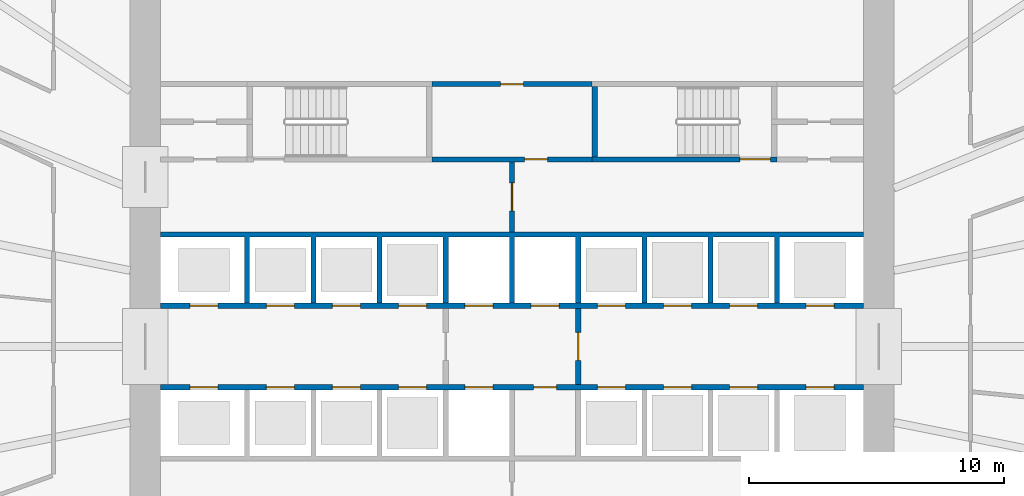
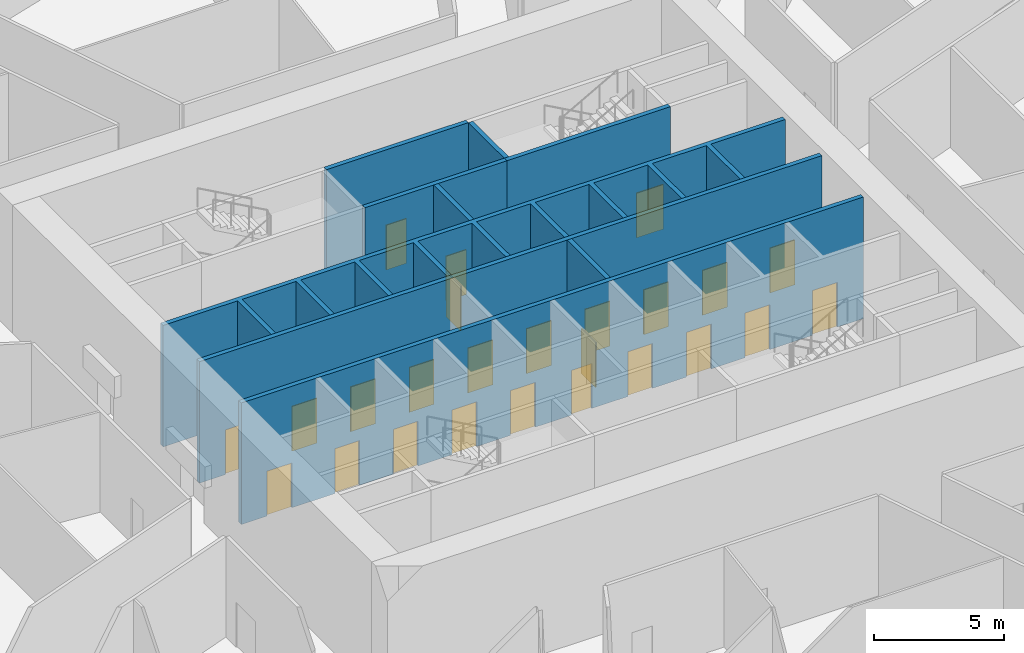
# One storey, part 20 of 33: 25 doors, 9 walls, 25 openings.
"""IFC4 building model written with IfcOpenShell, lengths in metres."""

from ifc_helpers import new_model, si_unit, direction, frame, frame_2d, origin, place, context, subcontext, project, spatial, polyline, rectangle, outline, extrude, material, layer, layer_set, type_object, element, fill, save


model = new_model("IFC4")

# Units and contexts
model_context = context("Model", 3, precision=1e-05, world=origin(), true_north=direction((0.0, 1.0)))
body_context = subcontext(model_context, "Body", "Model", "MODEL_VIEW")
ifc_project = project(units=[si_unit("LENGTHUNIT", "METRE"), si_unit("AREAUNIT", "SQUARE_METRE"), si_unit("VOLUMEUNIT", "CUBIC_METRE"), si_unit("PLANEANGLEUNIT", "RADIAN"), si_unit("MASSUNIT", "GRAM", prefix="KILO")], contexts=[model_context])

# Site, building, storey
site_placement = place(None, origin())
site = spatial("IfcSite", under=ifc_project, at=site_placement, CompositionType="ELEMENT")
building_placement = place(site_placement, origin())
building = spatial("IfcBuilding", under=site, at=building_placement, Name="Corvane Civic Tower", CompositionType="ELEMENT")
storey_placement = place(building_placement, origin())
storey = spatial("IfcBuildingStorey", under=building, at=storey_placement, Name="G", CompositionType="ELEMENT", Elevation=0.0)

# Wall, openings, doors
ifc_material_1 = material(Name="Concrete C30/37", Category="concrete")
ifc_layer_1 = layer(ifc_material_1, 0.199951171875)
ifc_layer_set_1 = layer_set([ifc_layer_1], Name="Concrete C30/37")
wall_type_1 = type_object("IfcWallType", Name="CR-WALL-200", PredefinedType="PARTITIONING", material=ifc_layer_set_1)
wall_1_placement = place(storey_placement, frame((-13.800048828125, -1.60009765625, 0.0), z_axis=(0.0, 0.0, 1.0), x_axis=(1.0, 0.0, 0.0)))
wall_1 = element("IfcWall", 1, at=wall_1_placement, inside=storey, type_object=wall_type_1, Name="G lift shaft wall", PredefinedType="PARTITIONING", context=body_context, shape_type="SweptSolid", body=[
    extrude(rectangle(XDim=27.60009765625, YDim=0.199951171875, at=frame_2d((13.800048828125, 0.0))), origin(), (0.0, 0.0, 1.0), 5.699951171875),
])
opening_1_placement = place(wall_1_placement, frame((1.14990234375, 0.0, 0.0)))
opening_1 = element("IfcOpeningElement", 2, at=opening_1_placement, cuts=wall_1, Name="Opening LD", PredefinedType="OPENING", context=body_context, shape_type="SweptSolid", body=[
    extrude(rectangle(XDim=1.10009765625, YDim=2.10009765625, at=frame_2d((0.550048828125, 1.050048828125))), frame((0.0, 0.10986328125, 0.0), z_axis=(0.0, -1.0, 0.0), x_axis=(1.0, 0.0, 0.0)), (0.0, 0.0, 1.0), 0.219970703125),
])
opening_2_placement = place(wall_1_placement, frame((4.14990234375, 0.0, 0.0)))
opening_2 = element("IfcOpeningElement", 3, at=opening_2_placement, cuts=wall_1, Name="Opening LD", PredefinedType="OPENING", context=body_context, shape_type="SweptSolid", body=[
    extrude(rectangle(XDim=1.10009765625, YDim=2.10009765625, at=frame_2d((0.550048828125, 1.050048828125))), frame((0.0, 0.10986328125, 0.0), z_axis=(0.0, -1.0, 0.0), x_axis=(1.0, 0.0, 0.0)), (0.0, 0.0, 1.0), 0.219970703125),
])
opening_3_placement = place(wall_1_placement, frame((6.75, 0.0, 0.0)))
opening_3 = element("IfcOpeningElement", 4, at=opening_3_placement, cuts=wall_1, Name="Opening LD", PredefinedType="OPENING", context=body_context, shape_type="SweptSolid", body=[
    extrude(rectangle(XDim=1.10009765625, YDim=2.10009765625, at=frame_2d((0.550048828125, 1.050048828125))), frame((0.0, 0.10986328125, 0.0), z_axis=(0.0, -1.0, 0.0), x_axis=(1.0, 0.0, 0.0)), (0.0, 0.0, 1.0), 0.219970703125),
])
opening_4_placement = place(wall_1_placement, frame((9.35009765625, 0.0, 0.0)))
opening_4 = element("IfcOpeningElement", 5, at=opening_4_placement, cuts=wall_1, Name="Opening LD", PredefinedType="OPENING", context=body_context, shape_type="SweptSolid", body=[
    extrude(rectangle(XDim=1.10009765625, YDim=2.10009765625, at=frame_2d((0.550048828125, 1.050048828125))), frame((0.0, 0.10986328125, 0.0), z_axis=(0.0, -1.0, 0.0), x_axis=(1.0, 0.0, 0.0)), (0.0, 0.0, 1.0), 0.219970703125),
])
opening_5_placement = place(wall_1_placement, frame((11.949951171875, 0.0, 0.0)))
opening_5 = element("IfcOpeningElement", 6, at=opening_5_placement, cuts=wall_1, Name="Opening LD", PredefinedType="OPENING", context=body_context, shape_type="SweptSolid", body=[
    extrude(rectangle(XDim=1.10009765625, YDim=2.10009765625, at=frame_2d((0.550048828125, 1.050048828125))), frame((0.0, 0.10986328125, 0.0), z_axis=(0.0, -1.0, 0.0), x_axis=(1.0, 0.0, 0.0)), (0.0, 0.0, 1.0), 0.219970703125),
])
opening_6_placement = place(wall_1_placement, frame((14.64990234375, 0.0, 0.0)))
opening_6 = element("IfcOpeningElement", 7, at=opening_6_placement, cuts=wall_1, Name="Opening G.C01", PredefinedType="OPENING", context=body_context, shape_type="SweptSolid", body=[
    extrude(rectangle(XDim=0.89990234375, YDim=2.10009765625, at=frame_2d((0.449951171875, 1.050048828125))), frame((0.0, 0.10986328125, 0.0), z_axis=(0.0, -1.0, 0.0), x_axis=(1.0, 0.0, 0.0)), (0.0, 0.0, 1.0), 0.219970703125),
])
opening_7_placement = place(wall_1_placement, frame((17.14990234375, 0.0, 0.0)))
opening_7 = element("IfcOpeningElement", 8, at=opening_7_placement, cuts=wall_1, Name="Opening LD", PredefinedType="OPENING", context=body_context, shape_type="SweptSolid", body=[
    extrude(rectangle(XDim=1.10009765625, YDim=2.10009765625, at=frame_2d((0.550048828125, 1.050048828125))), frame((0.0, 0.10986328125, 0.0), z_axis=(0.0, -1.0, 0.0), x_axis=(1.0, 0.0, 0.0)), (0.0, 0.0, 1.0), 0.219970703125),
])
opening_8_placement = place(wall_1_placement, frame((19.75, 0.0, 0.0)))
opening_8 = element("IfcOpeningElement", 9, at=opening_8_placement, cuts=wall_1, Name="Opening LD", PredefinedType="OPENING", context=body_context, shape_type="SweptSolid", body=[
    extrude(rectangle(XDim=1.10009765625, YDim=2.10009765625, at=frame_2d((0.550048828125, 1.050048828125))), frame((0.0, 0.10986328125, 0.0), z_axis=(0.0, -1.0, 0.0), x_axis=(1.0, 0.0, 0.0)), (0.0, 0.0, 1.0), 0.219970703125),
])
opening_9_placement = place(wall_1_placement, frame((22.35009765625, 0.0, 0.0)))
opening_9 = element("IfcOpeningElement", 10, at=opening_9_placement, cuts=wall_1, Name="Opening LD", PredefinedType="OPENING", context=body_context, shape_type="SweptSolid", body=[
    extrude(rectangle(XDim=1.10009765625, YDim=2.10009765625, at=frame_2d((0.550048828125, 1.050048828125))), frame((0.0, 0.10986328125, 0.0), z_axis=(0.0, -1.0, 0.0), x_axis=(1.0, 0.0, 0.0)), (0.0, 0.0, 1.0), 0.219970703125),
])
opening_10_placement = place(wall_1_placement, frame((25.35009765625, 0.0, 0.0)))
opening_10 = element("IfcOpeningElement", 11, at=opening_10_placement, cuts=wall_1, Name="Opening LD", PredefinedType="OPENING", context=body_context, shape_type="SweptSolid", body=[
    extrude(rectangle(XDim=1.10009765625, YDim=2.10009765625, at=frame_2d((0.550048828125, 1.050048828125))), frame((0.0, 0.10986328125, 0.0), z_axis=(0.0, -1.0, 0.0), x_axis=(1.0, 0.0, 0.0)), (0.0, 0.0, 1.0), 0.219970703125),
])
ifc_material_2 = material(Name="Steel fire door leaf", Category="steel")
door_type_1 = type_object("IfcDoorType", Name="CR-DOOR-900", OperationType="SINGLE_SWING_LEFT", PredefinedType="DOOR", material=ifc_material_2)
door_1_placement = place(opening_6_placement, origin())
door_1 = element("IfcDoor", 12, at=door_1_placement, inside=storey, type_object=door_type_1, Name="G door", OperationType="SINGLE_SWING_LEFT", OverallHeight=2.10009765625, OverallWidth=0.89990234375, PredefinedType="DOOR", context=body_context, shape_type="SweptSolid", body=[
    extrude(rectangle(XDim=0.89990234375, YDim=2.10009765625, at=frame_2d((0.449951171875, 1.050048828125))), frame((0.0, 0.02490234375, 0.0), z_axis=(0.0, -1.0, 0.0), x_axis=(1.0, 0.0, 0.0)), (0.0, 0.0, 1.0), 0.050048828125),
])
fill(opening_6, door_1)
ifc_material_3 = material(Name="Stainless steel 316 door leaves", Category="steel")
door_type_2 = type_object("IfcDoorType", Name="LD", OperationType="DOUBLE_DOOR_SLIDING", PredefinedType="DOOR", material=ifc_material_3)
door_2_placement = place(opening_1_placement, origin())
door_2 = element("IfcDoor", 13, at=door_2_placement, inside=storey, type_object=door_type_2, Name="G landing door", OperationType="DOUBLE_DOOR_SLIDING", OverallHeight=2.10009765625, OverallWidth=1.10009765625, PredefinedType="DOOR", context=body_context, shape_type="SweptSolid", body=[
    extrude(rectangle(XDim=1.10009765625, YDim=2.10009765625, at=frame_2d((0.550048828125, 1.050048828125))), frame((0.0, 0.02490234375, 0.0), z_axis=(0.0, -1.0, 0.0), x_axis=(1.0, 0.0, 0.0)), (0.0, 0.0, 1.0), 0.050048828125),
])
fill(opening_1, door_2)
door_3_placement = place(opening_2_placement, origin())
door_3 = element("IfcDoor", 14, at=door_3_placement, inside=storey, type_object=door_type_2, Name="G landing door", OperationType="DOUBLE_DOOR_SLIDING", OverallHeight=2.10009765625, OverallWidth=1.10009765625, PredefinedType="DOOR", context=body_context, shape_type="SweptSolid", body=[
    extrude(rectangle(XDim=1.10009765625, YDim=2.10009765625, at=frame_2d((0.550048828125, 1.050048828125))), frame((0.0, 0.02490234375, 0.0), z_axis=(0.0, -1.0, 0.0), x_axis=(1.0, 0.0, 0.0)), (0.0, 0.0, 1.0), 0.050048828125),
])
fill(opening_2, door_3)
door_4_placement = place(opening_3_placement, origin())
door_4 = element("IfcDoor", 15, at=door_4_placement, inside=storey, type_object=door_type_2, Name="G landing door", OperationType="DOUBLE_DOOR_SLIDING", OverallHeight=2.10009765625, OverallWidth=1.10009765625, PredefinedType="DOOR", context=body_context, shape_type="SweptSolid", body=[
    extrude(rectangle(XDim=1.10009765625, YDim=2.10009765625, at=frame_2d((0.550048828125, 1.050048828125))), frame((0.0, 0.02490234375, 0.0), z_axis=(0.0, -1.0, 0.0), x_axis=(1.0, 0.0, 0.0)), (0.0, 0.0, 1.0), 0.050048828125),
])
fill(opening_3, door_4)
door_5_placement = place(opening_4_placement, origin())
door_5 = element("IfcDoor", 16, at=door_5_placement, inside=storey, type_object=door_type_2, Name="G landing door", OperationType="DOUBLE_DOOR_SLIDING", OverallHeight=2.10009765625, OverallWidth=1.10009765625, PredefinedType="DOOR", context=body_context, shape_type="SweptSolid", body=[
    extrude(rectangle(XDim=1.10009765625, YDim=2.10009765625, at=frame_2d((0.550048828125, 1.050048828125))), frame((0.0, 0.02490234375, 0.0), z_axis=(0.0, -1.0, 0.0), x_axis=(1.0, 0.0, 0.0)), (0.0, 0.0, 1.0), 0.050048828125),
])
fill(opening_4, door_5)
door_6_placement = place(opening_5_placement, origin())
door_6 = element("IfcDoor", 17, at=door_6_placement, inside=storey, type_object=door_type_2, Name="G landing door", OperationType="DOUBLE_DOOR_SLIDING", OverallHeight=2.10009765625, OverallWidth=1.10009765625, PredefinedType="DOOR", context=body_context, shape_type="SweptSolid", body=[
    extrude(rectangle(XDim=1.10009765625, YDim=2.10009765625, at=frame_2d((0.550048828125, 1.050048828125))), frame((0.0, 0.02490234375, 0.0), z_axis=(0.0, -1.0, 0.0), x_axis=(1.0, 0.0, 0.0)), (0.0, 0.0, 1.0), 0.050048828125),
])
fill(opening_5, door_6)
door_7_placement = place(opening_7_placement, origin())
door_7 = element("IfcDoor", 18, at=door_7_placement, inside=storey, type_object=door_type_2, Name="G landing door", OperationType="DOUBLE_DOOR_SLIDING", OverallHeight=2.10009765625, OverallWidth=1.10009765625, PredefinedType="DOOR", context=body_context, shape_type="SweptSolid", body=[
    extrude(rectangle(XDim=1.10009765625, YDim=2.10009765625, at=frame_2d((0.550048828125, 1.050048828125))), frame((0.0, 0.02490234375, 0.0), z_axis=(0.0, -1.0, 0.0), x_axis=(1.0, 0.0, 0.0)), (0.0, 0.0, 1.0), 0.050048828125),
])
fill(opening_7, door_7)
door_8_placement = place(opening_8_placement, origin())
door_8 = element("IfcDoor", 19, at=door_8_placement, inside=storey, type_object=door_type_2, Name="G landing door", OperationType="DOUBLE_DOOR_SLIDING", OverallHeight=2.10009765625, OverallWidth=1.10009765625, PredefinedType="DOOR", context=body_context, shape_type="SweptSolid", body=[
    extrude(rectangle(XDim=1.10009765625, YDim=2.10009765625, at=frame_2d((0.550048828125, 1.050048828125))), frame((0.0, 0.02490234375, 0.0), z_axis=(0.0, -1.0, 0.0), x_axis=(1.0, 0.0, 0.0)), (0.0, 0.0, 1.0), 0.050048828125),
])
fill(opening_8, door_8)
door_9_placement = place(opening_9_placement, origin())
door_9 = element("IfcDoor", 20, at=door_9_placement, inside=storey, type_object=door_type_2, Name="G landing door", OperationType="DOUBLE_DOOR_SLIDING", OverallHeight=2.10009765625, OverallWidth=1.10009765625, PredefinedType="DOOR", context=body_context, shape_type="SweptSolid", body=[
    extrude(rectangle(XDim=1.10009765625, YDim=2.10009765625, at=frame_2d((0.550048828125, 1.050048828125))), frame((0.0, 0.02490234375, 0.0), z_axis=(0.0, -1.0, 0.0), x_axis=(1.0, 0.0, 0.0)), (0.0, 0.0, 1.0), 0.050048828125),
])
fill(opening_9, door_9)
door_10_placement = place(opening_10_placement, origin())
door_10 = element("IfcDoor", 21, at=door_10_placement, inside=storey, type_object=door_type_2, Name="G landing door", OperationType="DOUBLE_DOOR_SLIDING", OverallHeight=2.10009765625, OverallWidth=1.10009765625, PredefinedType="DOOR", context=body_context, shape_type="SweptSolid", body=[
    extrude(rectangle(XDim=1.10009765625, YDim=2.10009765625, at=frame_2d((0.550048828125, 1.050048828125))), frame((0.0, 0.02490234375, 0.0), z_axis=(0.0, -1.0, 0.0), x_axis=(1.0, 0.0, 0.0)), (0.0, 0.0, 1.0), 0.050048828125),
])
fill(opening_10, door_10)

wall_2_placement = place(storey_placement, frame((-13.800048828125, 1.60009765625, 0.0), z_axis=(0.0, 0.0, 1.0), x_axis=(1.0, 0.0, 0.0)))
wall_2 = element("IfcWall", 22, at=wall_2_placement, inside=storey, type_object=wall_type_1, Name="G lift shaft wall", PredefinedType="PARTITIONING", context=body_context, shape_type="SweptSolid", body=[
    extrude(rectangle(XDim=27.60009765625, YDim=0.199951171875, at=frame_2d((13.800048828125, 0.0))), origin(), (0.0, 0.0, 1.0), 5.699951171875),
])
opening_11_placement = place(wall_2_placement, frame((1.14990234375, 0.0, 0.0)))
opening_11 = element("IfcOpeningElement", 23, at=opening_11_placement, cuts=wall_2, Name="Opening LD", PredefinedType="OPENING", context=body_context, shape_type="SweptSolid", body=[
    extrude(rectangle(XDim=1.10009765625, YDim=2.10009765625, at=frame_2d((0.550048828125, 1.050048828125))), frame((0.0, 0.10986328125, 0.0), z_axis=(0.0, -1.0, 0.0), x_axis=(1.0, 0.0, 0.0)), (0.0, 0.0, 1.0), 0.219970703125),
])
opening_12_placement = place(wall_2_placement, frame((4.14990234375, 0.0, 0.0)))
opening_12 = element("IfcOpeningElement", 24, at=opening_12_placement, cuts=wall_2, Name="Opening LD", PredefinedType="OPENING", context=body_context, shape_type="SweptSolid", body=[
    extrude(rectangle(XDim=1.10009765625, YDim=2.10009765625, at=frame_2d((0.550048828125, 1.050048828125))), frame((0.0, 0.10986328125, 0.0), z_axis=(0.0, -1.0, 0.0), x_axis=(1.0, 0.0, 0.0)), (0.0, 0.0, 1.0), 0.219970703125),
])
opening_13_placement = place(wall_2_placement, frame((6.75, 0.0, 0.0)))
opening_13 = element("IfcOpeningElement", 25, at=opening_13_placement, cuts=wall_2, Name="Opening LD", PredefinedType="OPENING", context=body_context, shape_type="SweptSolid", body=[
    extrude(rectangle(XDim=1.10009765625, YDim=2.10009765625, at=frame_2d((0.550048828125, 1.050048828125))), frame((0.0, 0.10986328125, 0.0), z_axis=(0.0, -1.0, 0.0), x_axis=(1.0, 0.0, 0.0)), (0.0, 0.0, 1.0), 0.219970703125),
])
opening_14_placement = place(wall_2_placement, frame((9.35009765625, 0.0, 0.0)))
opening_14 = element("IfcOpeningElement", 26, at=opening_14_placement, cuts=wall_2, Name="Opening LD", PredefinedType="OPENING", context=body_context, shape_type="SweptSolid", body=[
    extrude(rectangle(XDim=1.10009765625, YDim=2.10009765625, at=frame_2d((0.550048828125, 1.050048828125))), frame((0.0, 0.10986328125, 0.0), z_axis=(0.0, -1.0, 0.0), x_axis=(1.0, 0.0, 0.0)), (0.0, 0.0, 1.0), 0.219970703125),
])
opening_15_placement = place(wall_2_placement, frame((11.949951171875, 0.0, 0.0)))
opening_15 = element("IfcOpeningElement", 27, at=opening_15_placement, cuts=wall_2, Name="Opening LD", PredefinedType="OPENING", context=body_context, shape_type="SweptSolid", body=[
    extrude(rectangle(XDim=1.10009765625, YDim=2.10009765625, at=frame_2d((0.550048828125, 1.050048828125))), frame((0.0, 0.10986328125, 0.0), z_axis=(0.0, -1.0, 0.0), x_axis=(1.0, 0.0, 0.0)), (0.0, 0.0, 1.0), 0.219970703125),
])
opening_16_placement = place(wall_2_placement, frame((14.550048828125, 0.0, 0.0)))
opening_16 = element("IfcOpeningElement", 28, at=opening_16_placement, cuts=wall_2, Name="Opening LD", PredefinedType="OPENING", context=body_context, shape_type="SweptSolid", body=[
    extrude(rectangle(XDim=1.10009765625, YDim=2.10009765625, at=frame_2d((0.550048828125, 1.050048828125))), frame((0.0, 0.10986328125, 0.0), z_axis=(0.0, -1.0, 0.0), x_axis=(1.0, 0.0, 0.0)), (0.0, 0.0, 1.0), 0.219970703125),
])
opening_17_placement = place(wall_2_placement, frame((17.14990234375, 0.0, 0.0)))
opening_17 = element("IfcOpeningElement", 29, at=opening_17_placement, cuts=wall_2, Name="Opening LD", PredefinedType="OPENING", context=body_context, shape_type="SweptSolid", body=[
    extrude(rectangle(XDim=1.10009765625, YDim=2.10009765625, at=frame_2d((0.550048828125, 1.050048828125))), frame((0.0, 0.10986328125, 0.0), z_axis=(0.0, -1.0, 0.0), x_axis=(1.0, 0.0, 0.0)), (0.0, 0.0, 1.0), 0.219970703125),
])
opening_18_placement = place(wall_2_placement, frame((19.75, 0.0, 0.0)))
opening_18 = element("IfcOpeningElement", 30, at=opening_18_placement, cuts=wall_2, Name="Opening LD", PredefinedType="OPENING", context=body_context, shape_type="SweptSolid", body=[
    extrude(rectangle(XDim=1.10009765625, YDim=2.10009765625, at=frame_2d((0.550048828125, 1.050048828125))), frame((0.0, 0.10986328125, 0.0), z_axis=(0.0, -1.0, 0.0), x_axis=(1.0, 0.0, 0.0)), (0.0, 0.0, 1.0), 0.219970703125),
])
opening_19_placement = place(wall_2_placement, frame((22.35009765625, 0.0, 0.0)))
opening_19 = element("IfcOpeningElement", 31, at=opening_19_placement, cuts=wall_2, Name="Opening LD", PredefinedType="OPENING", context=body_context, shape_type="SweptSolid", body=[
    extrude(rectangle(XDim=1.10009765625, YDim=2.10009765625, at=frame_2d((0.550048828125, 1.050048828125))), frame((0.0, 0.10986328125, 0.0), z_axis=(0.0, -1.0, 0.0), x_axis=(1.0, 0.0, 0.0)), (0.0, 0.0, 1.0), 0.219970703125),
])
opening_20_placement = place(wall_2_placement, frame((25.35009765625, 0.0, 0.0)))
opening_20 = element("IfcOpeningElement", 32, at=opening_20_placement, cuts=wall_2, Name="Opening LD", PredefinedType="OPENING", context=body_context, shape_type="SweptSolid", body=[
    extrude(rectangle(XDim=1.10009765625, YDim=2.10009765625, at=frame_2d((0.550048828125, 1.050048828125))), frame((0.0, 0.10986328125, 0.0), z_axis=(0.0, -1.0, 0.0), x_axis=(1.0, 0.0, 0.0)), (0.0, 0.0, 1.0), 0.219970703125),
])
door_11_placement = place(opening_11_placement, origin())
door_11 = element("IfcDoor", 33, at=door_11_placement, inside=storey, type_object=door_type_2, Name="G landing door", OperationType="DOUBLE_DOOR_SLIDING", OverallHeight=2.10009765625, OverallWidth=1.10009765625, PredefinedType="DOOR", context=body_context, shape_type="SweptSolid", body=[
    extrude(rectangle(XDim=1.10009765625, YDim=2.10009765625, at=frame_2d((0.550048828125, 1.050048828125))), frame((0.0, 0.02490234375, 0.0), z_axis=(0.0, -1.0, 0.0), x_axis=(1.0, 0.0, 0.0)), (0.0, 0.0, 1.0), 0.050048828125),
])
fill(opening_11, door_11)
door_12_placement = place(opening_12_placement, origin())
door_12 = element("IfcDoor", 34, at=door_12_placement, inside=storey, type_object=door_type_2, Name="G landing door", OperationType="DOUBLE_DOOR_SLIDING", OverallHeight=2.10009765625, OverallWidth=1.10009765625, PredefinedType="DOOR", context=body_context, shape_type="SweptSolid", body=[
    extrude(rectangle(XDim=1.10009765625, YDim=2.10009765625, at=frame_2d((0.550048828125, 1.050048828125))), frame((0.0, 0.02490234375, 0.0), z_axis=(0.0, -1.0, 0.0), x_axis=(1.0, 0.0, 0.0)), (0.0, 0.0, 1.0), 0.050048828125),
])
fill(opening_12, door_12)
door_13_placement = place(opening_13_placement, origin())
door_13 = element("IfcDoor", 35, at=door_13_placement, inside=storey, type_object=door_type_2, Name="G landing door", OperationType="DOUBLE_DOOR_SLIDING", OverallHeight=2.10009765625, OverallWidth=1.10009765625, PredefinedType="DOOR", context=body_context, shape_type="SweptSolid", body=[
    extrude(rectangle(XDim=1.10009765625, YDim=2.10009765625, at=frame_2d((0.550048828125, 1.050048828125))), frame((0.0, 0.02490234375, 0.0), z_axis=(0.0, -1.0, 0.0), x_axis=(1.0, 0.0, 0.0)), (0.0, 0.0, 1.0), 0.050048828125),
])
fill(opening_13, door_13)
door_14_placement = place(opening_14_placement, origin())
door_14 = element("IfcDoor", 36, at=door_14_placement, inside=storey, type_object=door_type_2, Name="G landing door", OperationType="DOUBLE_DOOR_SLIDING", OverallHeight=2.10009765625, OverallWidth=1.10009765625, PredefinedType="DOOR", context=body_context, shape_type="SweptSolid", body=[
    extrude(rectangle(XDim=1.10009765625, YDim=2.10009765625, at=frame_2d((0.550048828125, 1.050048828125))), frame((0.0, 0.02490234375, 0.0), z_axis=(0.0, -1.0, 0.0), x_axis=(1.0, 0.0, 0.0)), (0.0, 0.0, 1.0), 0.050048828125),
])
fill(opening_14, door_14)
door_15_placement = place(opening_15_placement, origin())
door_15 = element("IfcDoor", 37, at=door_15_placement, inside=storey, type_object=door_type_2, Name="G landing door", OperationType="DOUBLE_DOOR_SLIDING", OverallHeight=2.10009765625, OverallWidth=1.10009765625, PredefinedType="DOOR", context=body_context, shape_type="SweptSolid", body=[
    extrude(rectangle(XDim=1.10009765625, YDim=2.10009765625, at=frame_2d((0.550048828125, 1.050048828125))), frame((0.0, 0.02490234375, 0.0), z_axis=(0.0, -1.0, 0.0), x_axis=(1.0, 0.0, 0.0)), (0.0, 0.0, 1.0), 0.050048828125),
])
fill(opening_15, door_15)
door_16_placement = place(opening_16_placement, origin())
door_16 = element("IfcDoor", 38, at=door_16_placement, inside=storey, type_object=door_type_2, Name="G landing door", OperationType="DOUBLE_DOOR_SLIDING", OverallHeight=2.10009765625, OverallWidth=1.10009765625, PredefinedType="DOOR", context=body_context, shape_type="SweptSolid", body=[
    extrude(rectangle(XDim=1.10009765625, YDim=2.10009765625, at=frame_2d((0.550048828125, 1.050048828125))), frame((0.0, 0.02490234375, 0.0), z_axis=(0.0, -1.0, 0.0), x_axis=(1.0, 0.0, 0.0)), (0.0, 0.0, 1.0), 0.050048828125),
])
fill(opening_16, door_16)
door_17_placement = place(opening_17_placement, origin())
door_17 = element("IfcDoor", 39, at=door_17_placement, inside=storey, type_object=door_type_2, Name="G landing door", OperationType="DOUBLE_DOOR_SLIDING", OverallHeight=2.10009765625, OverallWidth=1.10009765625, PredefinedType="DOOR", context=body_context, shape_type="SweptSolid", body=[
    extrude(rectangle(XDim=1.10009765625, YDim=2.10009765625, at=frame_2d((0.550048828125, 1.050048828125))), frame((0.0, 0.02490234375, 0.0), z_axis=(0.0, -1.0, 0.0), x_axis=(1.0, 0.0, 0.0)), (0.0, 0.0, 1.0), 0.050048828125),
])
fill(opening_17, door_17)
door_18_placement = place(opening_18_placement, origin())
door_18 = element("IfcDoor", 40, at=door_18_placement, inside=storey, type_object=door_type_2, Name="G landing door", OperationType="DOUBLE_DOOR_SLIDING", OverallHeight=2.10009765625, OverallWidth=1.10009765625, PredefinedType="DOOR", context=body_context, shape_type="SweptSolid", body=[
    extrude(rectangle(XDim=1.10009765625, YDim=2.10009765625, at=frame_2d((0.550048828125, 1.050048828125))), frame((0.0, 0.02490234375, 0.0), z_axis=(0.0, -1.0, 0.0), x_axis=(1.0, 0.0, 0.0)), (0.0, 0.0, 1.0), 0.050048828125),
])
fill(opening_18, door_18)
door_19_placement = place(opening_19_placement, origin())
door_19 = element("IfcDoor", 41, at=door_19_placement, inside=storey, type_object=door_type_2, Name="G landing door", OperationType="DOUBLE_DOOR_SLIDING", OverallHeight=2.10009765625, OverallWidth=1.10009765625, PredefinedType="DOOR", context=body_context, shape_type="SweptSolid", body=[
    extrude(rectangle(XDim=1.10009765625, YDim=2.10009765625, at=frame_2d((0.550048828125, 1.050048828125))), frame((0.0, 0.02490234375, 0.0), z_axis=(0.0, -1.0, 0.0), x_axis=(1.0, 0.0, 0.0)), (0.0, 0.0, 1.0), 0.050048828125),
])
fill(opening_19, door_19)
door_20_placement = place(opening_20_placement, origin())
door_20 = element("IfcDoor", 42, at=door_20_placement, inside=storey, type_object=door_type_2, Name="G landing door", OperationType="DOUBLE_DOOR_SLIDING", OverallHeight=2.10009765625, OverallWidth=1.10009765625, PredefinedType="DOOR", context=body_context, shape_type="SweptSolid", body=[
    extrude(rectangle(XDim=1.10009765625, YDim=2.10009765625, at=frame_2d((0.550048828125, 1.050048828125))), frame((0.0, 0.02490234375, 0.0), z_axis=(0.0, -1.0, 0.0), x_axis=(1.0, 0.0, 0.0)), (0.0, 0.0, 1.0), 0.050048828125),
])
fill(opening_20, door_20)

# Wall, opening, door
wall_3_placement = place(storey_placement, frame((-3.14990234375, 7.35009765625, 0.0), z_axis=(0.0, 0.0, 1.0), x_axis=(1.0, 0.0, 0.0)))
wall_3 = element("IfcWall", 43, at=wall_3_placement, inside=storey, type_object=wall_type_1, Name="G partition wall", PredefinedType="PARTITIONING", context=body_context, shape_type="SweptSolid", body=[
    extrude(rectangle(XDim=6.2998046875, YDim=0.199951171875, at=frame_2d((3.14990234375, 0.0))), origin(), (0.0, 0.0, 1.0), 5.699951171875),
])
opening_21_placement = place(wall_3_placement, frame((3.64990234375, 0.0, 0.0)))
opening_21 = element("IfcOpeningElement", 44, at=opening_21_placement, cuts=wall_3, Name="Opening G.C02", PredefinedType="OPENING", context=body_context, shape_type="SweptSolid", body=[
    extrude(rectangle(XDim=0.89990234375, YDim=2.10009765625, at=frame_2d((0.449951171875, 1.050048828125))), frame((0.0, 0.10986328125, 0.0), z_axis=(0.0, -1.0, 0.0), x_axis=(1.0, 0.0, 0.0)), (0.0, 0.0, 1.0), 0.219970703125),
])
door_21_placement = place(opening_21_placement, origin())
door_21 = element("IfcDoor", 45, at=door_21_placement, inside=storey, type_object=door_type_1, Name="G door", OperationType="SINGLE_SWING_LEFT", OverallHeight=2.10009765625, OverallWidth=0.89990234375, PredefinedType="DOOR", context=body_context, shape_type="SweptSolid", body=[
    extrude(rectangle(XDim=0.89990234375, YDim=2.10009765625, at=frame_2d((0.449951171875, 1.050048828125))), frame((0.0, 0.02490234375, 0.0), z_axis=(0.0, -1.0, 0.0), x_axis=(1.0, 0.0, 0.0)), (0.0, 0.0, 1.0), 0.050048828125),
])
fill(opening_21, door_21)

wall_4_placement = place(storey_placement, frame((-3.14990234375, 10.300048828125, 0.0), z_axis=(0.0, 0.0, 1.0), x_axis=(1.0, 0.0, 0.0)))
wall_4 = element("IfcWall", 46, at=wall_4_placement, inside=storey, type_object=wall_type_1, Name="G partition wall", PredefinedType="PARTITIONING", context=body_context, shape_type="SweptSolid", body=[
    extrude(rectangle(XDim=6.2998046875, YDim=0.199951171875, at=frame_2d((3.14990234375, 0.0))), origin(), (0.0, 0.0, 1.0), 5.699951171875),
])
opening_22_placement = place(wall_4_placement, frame((2.699951171875, 0.0, 0.0)))
opening_22 = element("IfcOpeningElement", 47, at=opening_22_placement, cuts=wall_4, Name="Opening G.C04", PredefinedType="OPENING", context=body_context, shape_type="SweptSolid", body=[
    extrude(rectangle(XDim=0.89990234375, YDim=2.10009765625, at=frame_2d((0.449951171875, 1.050048828125))), frame((0.0, 0.10986328125, 0.0), z_axis=(0.0, -1.0, 0.0), x_axis=(1.0, 0.0, 0.0)), (0.0, 0.0, 1.0), 0.219970703125),
])
door_22_placement = place(opening_22_placement, origin())
door_22 = element("IfcDoor", 48, at=door_22_placement, inside=storey, type_object=door_type_1, Name="G door", OperationType="SINGLE_SWING_LEFT", OverallHeight=2.10009765625, OverallWidth=0.89990234375, PredefinedType="DOOR", context=body_context, shape_type="SweptSolid", body=[
    extrude(rectangle(XDim=0.89990234375, YDim=2.10009765625, at=frame_2d((0.449951171875, 1.050048828125))), frame((0.0, 0.02490234375, 0.0), z_axis=(0.0, -1.0, 0.0), x_axis=(1.0, 0.0, 0.0)), (0.0, 0.0, 1.0), 0.050048828125),
])
fill(opening_22, door_22)

wall_5_placement = place(storey_placement, frame((0.0, 4.5, 0.0), z_axis=(0.0, 0.0, 1.0), x_axis=(0.0, 1.0, 0.0)))
wall_5 = element("IfcWall", 49, at=wall_5_placement, inside=storey, type_object=wall_type_1, Name="G core partition wall", PredefinedType="PARTITIONING", context=body_context, shape_type="SweptSolid", body=[
    extrude(rectangle(XDim=2.75, YDim=0.199951171875, at=frame_2d((1.375, 0.0))), origin(), (0.0, 0.0, 1.0), 5.699951171875),
])
opening_23_placement = place(wall_5_placement, frame((0.824951171875, 0.0, 0.0)))
opening_23 = element("IfcOpeningElement", 50, at=opening_23_placement, cuts=wall_5, Name="Opening G.C20", PredefinedType="OPENING", context=body_context, shape_type="SweptSolid", body=[
    extrude(rectangle(XDim=1.10009765625, YDim=2.10009765625, at=frame_2d((0.550048828125, 1.050048828125))), frame((0.0, 0.10986328125, 0.0), z_axis=(0.0, -1.0, 0.0), x_axis=(1.0, 0.0, 0.0)), (0.0, 0.0, 1.0), 0.219970703125),
])
ifc_material_4 = material(Name="Steel fire door leaf", Category="steel")
door_type_3 = type_object("IfcDoorType", Name="CR-DOOR-FFL-1100", OperationType="SINGLE_SWING_LEFT", PredefinedType="DOOR", material=ifc_material_4)
door_23_placement = place(opening_23_placement, origin())
door_23 = element("IfcDoor", 51, at=door_23_placement, inside=storey, type_object=door_type_3, Name="G lobby door", OperationType="SINGLE_SWING_LEFT", OverallHeight=2.10009765625, OverallWidth=1.10009765625, PredefinedType="DOOR", context=body_context, shape_type="SweptSolid", body=[
    extrude(rectangle(XDim=1.10009765625, YDim=2.10009765625, at=frame_2d((0.550048828125, 1.050048828125))), frame((0.0, 0.02490234375, 0.0), z_axis=(0.0, -1.0, 0.0), x_axis=(1.0, 0.0, 0.0)), (0.0, 0.0, 1.0), 0.050048828125),
])
fill(opening_23, door_23)

wall_6_placement = place(storey_placement, frame((2.60009765625, -1.5, 0.0), z_axis=(0.0, 0.0, 1.0), x_axis=(0.0, 1.0, 0.0)))
wall_6 = element("IfcWall", 52, at=wall_6_placement, inside=storey, type_object=wall_type_1, Name="G firefighting lobby wall", PredefinedType="PARTITIONING", context=body_context, shape_type="SweptSolid", body=[
    extrude(rectangle(XDim=3.0, YDim=0.199951171875, at=frame_2d((1.5, 0.0))), origin(), (0.0, 0.0, 1.0), 5.699951171875),
])
opening_24_placement = place(wall_6_placement, frame((0.949951171875, 0.0, 0.0)))
opening_24 = element("IfcOpeningElement", 53, at=opening_24_placement, cuts=wall_6, Name="Opening G.C19", PredefinedType="OPENING", context=body_context, shape_type="SweptSolid", body=[
    extrude(rectangle(XDim=1.10009765625, YDim=2.10009765625, at=frame_2d((0.550048828125, 1.050048828125))), frame((0.0, 0.10986328125, 0.0), z_axis=(0.0, -1.0, 0.0), x_axis=(1.0, 0.0, 0.0)), (0.0, 0.0, 1.0), 0.219970703125),
])
door_24_placement = place(opening_24_placement, origin())
door_24 = element("IfcDoor", 54, at=door_24_placement, inside=storey, type_object=door_type_3, Name="G lobby door", OperationType="SINGLE_SWING_LEFT", OverallHeight=2.10009765625, OverallWidth=1.10009765625, PredefinedType="DOOR", context=body_context, shape_type="SweptSolid", body=[
    extrude(rectangle(XDim=1.10009765625, YDim=2.10009765625, at=frame_2d((0.550048828125, 1.050048828125))), frame((0.0, 0.02490234375, 0.0), z_axis=(0.0, -1.0, 0.0), x_axis=(1.0, 0.0, 0.0)), (0.0, 0.0, 1.0), 0.050048828125),
])
fill(opening_24, door_24)

# Wall
wall_7_placement = place(storey_placement, origin())
element("IfcWall", 55, at=wall_7_placement, inside=storey, type_object=wall_type_1, Name="G core partition wall", PredefinedType="PARTITIONING", context=body_context, shape_type="SweptSolid", body=[
    extrude(outline(polyline([(-7.699951171875, 4.300048828125), (-7.699951171875, 1.699951171875), (-7.89990234375, 1.699951171875), (-7.89990234375, 4.300048828125), (-10.300048828125, 4.300048828125), (-10.300048828125, 1.699951171875), (-10.5, 1.699951171875), (-10.5, 4.300048828125), (-13.800048828125, 4.300048828125), (-13.800048828125, 4.5), (13.800048828125, 4.5), (13.800048828125, 4.300048828125), (10.5, 4.300048828125), (10.5, 1.699951171875), (10.300048828125, 1.699951171875), (10.300048828125, 4.300048828125), (7.89990234375, 4.300048828125), (7.89990234375, 1.699951171875), (7.699951171875, 1.699951171875), (7.699951171875, 4.300048828125), (5.300048828125, 4.300048828125), (5.300048828125, 1.699951171875), (5.10009765625, 1.699951171875), (5.10009765625, 4.300048828125), (2.699951171875, 4.300048828125), (2.699951171875, 1.699951171875), (2.5, 1.699951171875), (2.5, 4.300048828125), (0.10009765625, 4.300048828125), (0.10009765625, 1.699951171875), (-0.10009765625, 1.699951171875), (-0.10009765625, 4.300048828125), (-2.5, 4.300048828125), (-2.5, 1.699951171875), (-2.699951171875, 1.699951171875), (-2.699951171875, 4.300048828125), (-5.10009765625, 4.300048828125), (-5.10009765625, 1.699951171875), (-5.300048828125, 1.699951171875), (-5.300048828125, 4.300048828125), (-7.699951171875, 4.300048828125)])), origin(), (0.0, 0.0, 1.0), 5.699951171875),
])

# Wall, opening, door
ifc_material_5 = material(Name="Concrete C50/60", Category="concrete")
ifc_layer_2 = layer(ifc_material_5, 0.199951171875)
ifc_layer_set_2 = layer_set([ifc_layer_2], Name="Concrete C50/60")
wall_type_2 = type_object("IfcWallType", Name="ST-WALL-200", PredefinedType="SHEAR", material=ifc_layer_set_2)
wall_8_placement = place(storey_placement, frame((3.14990234375, 7.35009765625, 0.0), z_axis=(0.0, 0.0, 1.0), x_axis=(1.0, 0.0, 0.0)))
wall_8 = element("IfcWall", 56, at=wall_8_placement, inside=storey, type_object=wall_type_2, Name="G stair enclosure wall", PredefinedType="SHEAR", context=body_context, shape_type="SweptSolid", body=[
    extrude(rectangle(XDim=7.25, YDim=0.199951171875, at=frame_2d((3.625, 0.0))), origin(), (0.0, 0.0, 1.0), 5.699951171875),
])
opening_25_placement = place(wall_8_placement, frame((5.800048828125, 0.0, 0.0)))
opening_25 = element("IfcOpeningElement", 57, at=opening_25_placement, cuts=wall_8, Name="Opening G.C14", PredefinedType="OPENING", context=body_context, shape_type="SweptSolid", body=[
    extrude(rectangle(XDim=1.199951171875, YDim=2.10009765625, at=frame_2d((0.60009765625, 1.050048828125))), frame((0.0, 0.10986328125, 0.0), z_axis=(0.0, -1.0, 0.0), x_axis=(1.0, 0.0, 0.0)), (0.0, 0.0, 1.0), 0.219970703125),
])
ifc_material_6 = material(Name="Steel fire door leaf", Category="steel")
door_type_4 = type_object("IfcDoorType", Name="ST-DOOR-1200", OperationType="SINGLE_SWING_RIGHT", PredefinedType="DOOR", material=ifc_material_6)
door_25_placement = place(opening_25_placement, origin())
door_25 = element("IfcDoor", 58, at=door_25_placement, inside=storey, type_object=door_type_4, Name="G stair door", OperationType="SINGLE_SWING_RIGHT", OverallHeight=2.10009765625, OverallWidth=1.199951171875, PredefinedType="DOOR", context=body_context, shape_type="SweptSolid", body=[
    extrude(rectangle(XDim=1.199951171875, YDim=2.10009765625, at=frame_2d((0.60009765625, 1.050048828125))), frame((0.0, 0.02490234375, 0.0), z_axis=(0.0, -1.0, 0.0), x_axis=(1.0, 0.0, 0.0)), (0.0, 0.0, 1.0), 0.050048828125),
])
fill(opening_25, door_25)

# Wall
wall_9_placement = place(storey_placement, origin())
element("IfcWall", 59, at=wall_9_placement, inside=storey, type_object=wall_type_2, Name="G stair enclosure wall", PredefinedType="SHEAR", context=body_context, shape_type="SweptSolid", body=[
    extrude(outline(polyline([(3.35009765625, 7.449951171875), (3.14990234375, 7.449951171875), (3.14990234375, 10.199951171875), (3.35009765625, 10.199951171875), (3.35009765625, 7.449951171875)])), origin(), (0.0, 0.0, 1.0), 5.699951171875),
])

save(model, "model.ifc")
